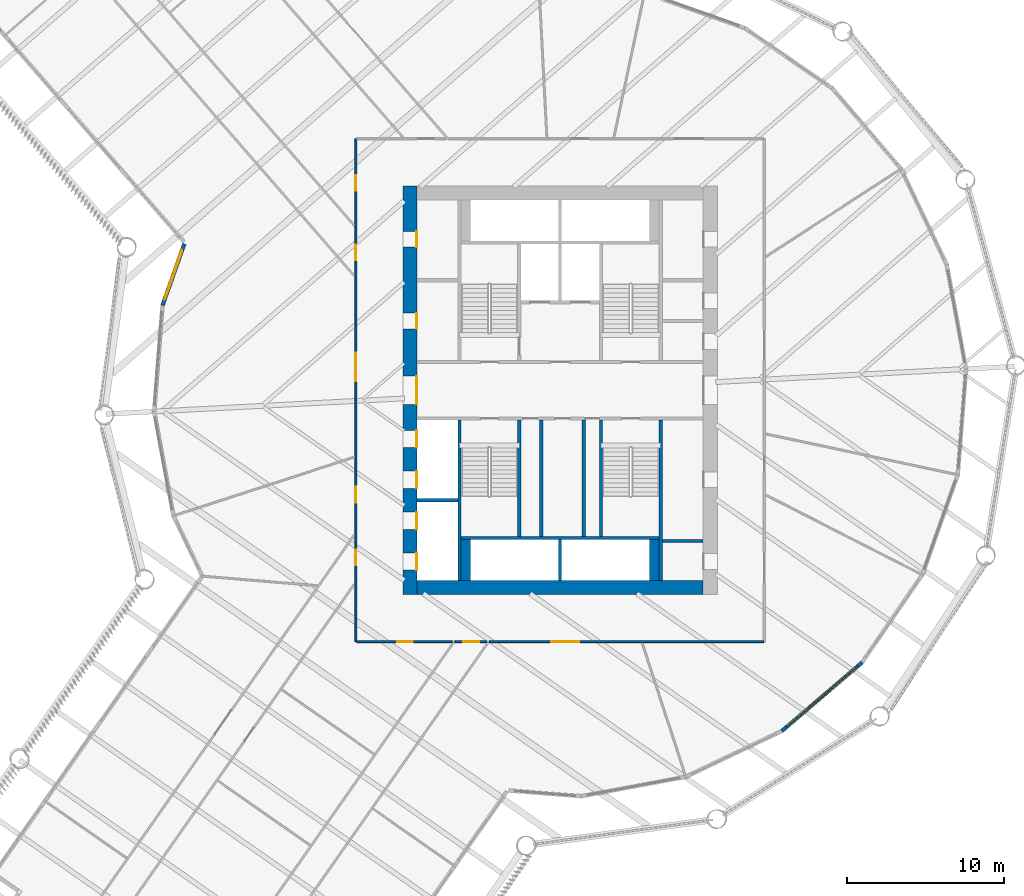
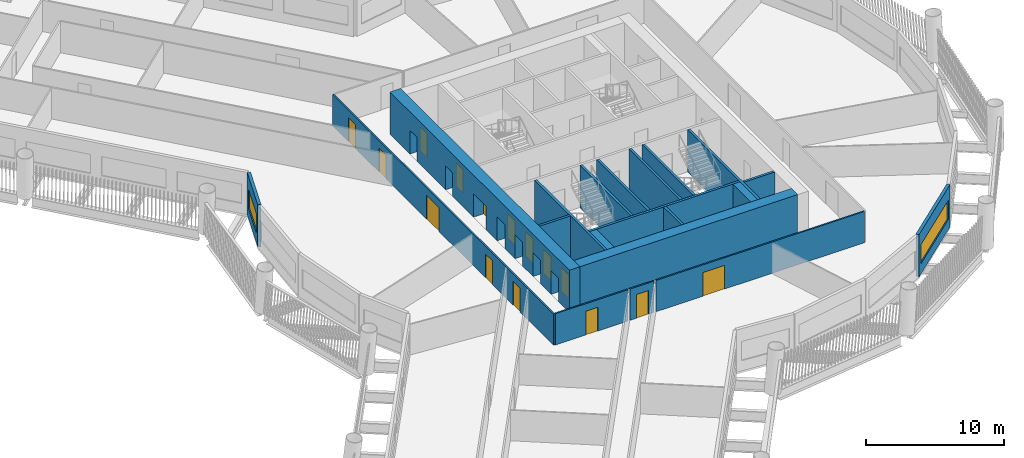
# One storey, part 4 of 15: 20 walls, 15 doors, 2 windows, 17 openings.
"""IFC4 building model written with IfcOpenShell, lengths in metres."""

from ifc_helpers import new_model, si_unit, direction, frame, frame_2d, origin, place, context, subcontext, project, spatial, rectangle, extrude, material, layer, layer_set, type_object, element, fill, save


model = new_model("IFC4")

# Units and contexts
model_context = context("Model", 3, precision=1e-05, world=origin(), true_north=direction((0.0, 1.0)))
body_context = subcontext(model_context, "Body", "Model", "MODEL_VIEW")
ifc_project = project(units=[si_unit("LENGTHUNIT", "METRE"), si_unit("AREAUNIT", "SQUARE_METRE"), si_unit("VOLUMEUNIT", "CUBIC_METRE"), si_unit("PLANEANGLEUNIT", "RADIAN"), si_unit("MASSUNIT", "GRAM", prefix="KILO")], contexts=[model_context])

# Site, building, storey
site_placement = place(None, origin())
site = spatial("IfcSite", under=ifc_project, at=site_placement, CompositionType="ELEMENT")
building_placement = place(site_placement, origin())
building = spatial("IfcBuilding", under=site, at=building_placement, Name="Tarsis Ring Headquarters", CompositionType="ELEMENT")
storey_placement = place(building_placement, frame((0.0, 0.0, 51.699951171875)))
storey = spatial("IfcBuildingStorey", under=building, at=storey_placement, Name="L10", CompositionType="ELEMENT", Elevation=51.699951171875)

# Walls
ifc_material_1 = material(Name="Blockwork", Category="masonry")
ifc_layer_1 = layer(ifc_material_1, 0.199951171875)
ifc_layer_set_1 = layer_set([ifc_layer_1], Name="Core blockwork wall 200")
wall_type_1 = type_object("IfcWallType", Name="Core blockwork wall 200", PredefinedType="PARTITIONING", material=ifc_layer_set_1)
wall_1_placement = place(storey_placement, frame((6.5, -9.60009765625, 0.0), z_axis=(0.0, 0.0, 1.0), x_axis=(1.0, 0.0, 0.0)))
element("IfcWall", 1, at=wall_1_placement, inside=storey, type_object=wall_type_1, Name="Core partition ED1", PredefinedType="PARTITIONING", context=body_context, shape_type="SweptSolid", body=[
    extrude(rectangle(XDim=2.60009765625, YDim=0.199951171875, at=frame_2d((1.300048828125, 0.0))), origin(), (0.0, 0.0, 1.0), 3.739990234375),
])
for number, where, z_axis, x_axis, name in (
    (2, (-1.199951171875, -9.300048828125, 0.0), (0.0, 0.0, 1.0), (0.0, 1.0, 0.0), "Core partition SV1"),
    (3, (1.5, -9.300048828125, 0.0), (0.0, 0.0, 1.0), (0.0, 1.0, 0.0), "Core partition SV2"),
):
    element("IfcWall", number, at=place(storey_placement, frame(where, z_axis=z_axis, x_axis=x_axis)), inside=storey, type_object=wall_type_1, Name=name, PredefinedType="PARTITIONING", context=body_context, shape_type="SweptSolid", body=[
        extrude(rectangle(XDim=7.400146484375, YDim=0.199951171875, at=frame_2d((3.7001953125, 0.0))), origin(), (0.0, 0.0, 1.0), 3.739990234375),
    ])

# Wall, openings, doors
ifc_material_2 = material(Name="Concrete C60/75", Category="concrete")
ifc_layer_2 = layer(ifc_material_2, 0.89990234375)
ifc_layer_set_2 = layer_set([ifc_layer_2], Name="Core wall 900 C60/75")
wall_type_2 = type_object("IfcWallType", Name="Core wall 900 C60/75", PredefinedType="SHEAR", material=ifc_layer_set_2)
wall_2_placement = place(storey_placement, frame((-9.550048828125, -13.0, 0.0), z_axis=(0.0, 0.0, 1.0), x_axis=(0.0, 1.0, 0.0)))
wall_2 = element("IfcWall", 4, at=wall_2_placement, inside=storey, type_object=wall_type_2, Name="Core wall OW", PredefinedType="SHEAR", context=body_context, shape_type="SweptSolid", body=[
    extrude(rectangle(XDim=26.0, YDim=0.89990234375, at=frame_2d((13.0, 0.0))), origin(), (0.0, 0.0, 1.0), 3.739990234375),
])
opening_1_placement = place(wall_2_placement, frame((1.550048828125, 0.0, 0.0)))
opening_1 = element("IfcOpeningElement", 5, at=opening_1_placement, cuts=wall_2, Name="Opening LD-LR1", PredefinedType="OPENING", context=body_context, shape_type="SweptSolid", body=[
    extrude(rectangle(XDim=1.10009765625, YDim=2.10009765625, at=frame_2d((0.550048828125, 1.050048828125))), frame((0.0, 0.4599609375, 0.0), z_axis=(0.0, -1.0, 0.0), x_axis=(1.0, 0.0, 0.0)), (0.0, 0.0, 1.0), 0.919921875),
])
opening_2_placement = place(wall_2_placement, frame((4.14990234375, 0.0, 0.0)))
opening_2 = element("IfcOpeningElement", 6, at=opening_2_placement, cuts=wall_2, Name="Opening LD-LR2", PredefinedType="OPENING", context=body_context, shape_type="SweptSolid", body=[
    extrude(rectangle(XDim=1.10009765625, YDim=2.10009765625, at=frame_2d((0.550048828125, 1.050048828125))), frame((0.0, 0.4599609375, 0.0), z_axis=(0.0, -1.0, 0.0), x_axis=(1.0, 0.0, 0.0)), (0.0, 0.0, 1.0), 0.919921875),
])
opening_3_placement = place(wall_2_placement, frame((6.75, 0.0, 0.0)))
opening_3 = element("IfcOpeningElement", 7, at=opening_3_placement, cuts=wall_2, Name="Opening LD-LR3", PredefinedType="OPENING", context=body_context, shape_type="SweptSolid", body=[
    extrude(rectangle(XDim=1.10009765625, YDim=2.10009765625, at=frame_2d((0.550048828125, 1.050048828125))), frame((0.0, 0.4599609375, 0.0), z_axis=(0.0, -1.0, 0.0), x_axis=(1.0, 0.0, 0.0)), (0.0, 0.0, 1.0), 0.919921875),
])
opening_4_placement = place(wall_2_placement, frame((9.35009765625, 0.0, 0.0)))
opening_4 = element("IfcOpeningElement", 8, at=opening_4_placement, cuts=wall_2, Name="Opening LD-LR4", PredefinedType="OPENING", context=body_context, shape_type="SweptSolid", body=[
    extrude(rectangle(XDim=1.10009765625, YDim=2.10009765625, at=frame_2d((0.550048828125, 1.050048828125))), frame((0.0, 0.4599609375, 0.0), z_axis=(0.0, -1.0, 0.0), x_axis=(1.0, 0.0, 0.0)), (0.0, 0.0, 1.0), 0.919921875),
])
opening_5_placement = place(wall_2_placement, frame((12.10009765625, 0.0, 0.0)))
opening_5 = element("IfcOpeningElement", 9, at=opening_5_placement, cuts=wall_2, Name="Opening L10-C05", PredefinedType="OPENING", context=body_context, shape_type="SweptSolid", body=[
    extrude(rectangle(XDim=1.800048828125, YDim=2.10009765625, at=frame_2d((0.89990234375, 1.050048828125))), frame((0.0, 0.4599609375, 0.0), z_axis=(0.0, -1.0, 0.0), x_axis=(1.0, 0.0, 0.0)), (0.0, 0.0, 1.0), 0.919921875),
])
opening_6_placement = place(wall_2_placement, frame((16.89990234375, 0.0, 0.0)))
opening_6 = element("IfcOpeningElement", 10, at=opening_6_placement, cuts=wall_2, Name="Opening L10-C06", PredefinedType="OPENING", context=body_context, shape_type="SweptSolid", body=[
    extrude(rectangle(XDim=1.0, YDim=2.10009765625, at=frame_2d((0.5, 1.050048828125))), frame((0.0, 0.4599609375, 0.0), z_axis=(0.0, -1.0, 0.0), x_axis=(1.0, 0.0, 0.0)), (0.0, 0.0, 1.0), 0.919921875),
])
opening_7_placement = place(wall_2_placement, frame((22.10009765625, 0.0, 0.0)))
opening_7 = element("IfcOpeningElement", 11, at=opening_7_placement, cuts=wall_2, Name="Opening L10-C07", PredefinedType="OPENING", context=body_context, shape_type="SweptSolid", body=[
    extrude(rectangle(XDim=1.0, YDim=2.10009765625, at=frame_2d((0.5, 1.050048828125))), frame((0.0, 0.4599609375, 0.0), z_axis=(0.0, -1.0, 0.0), x_axis=(1.0, 0.0, 0.0)), (0.0, 0.0, 1.0), 0.919921875),
])
ifc_material_3 = material(Name="Steel S355", Category="steel")
door_type_1 = type_object("IfcDoorType", Name="Core entry door 1800x2100", OperationType="DOUBLE_DOOR_SINGLE_SWING", PredefinedType="DOOR", material=ifc_material_3)
door_1_placement = place(opening_5_placement, origin())
door_1 = element("IfcDoor", 12, at=door_1_placement, inside=storey, type_object=door_type_1, Name="Core entry door L10", OperationType="DOUBLE_DOOR_SINGLE_SWING", OverallHeight=2.10009765625, OverallWidth=1.800048828125, PredefinedType="DOOR", context=body_context, shape_type="SweptSolid", body=[
    extrude(rectangle(XDim=1.800048828125, YDim=2.10009765625, at=frame_2d((0.89990234375, 1.050048828125))), frame((0.0, -0.39990234375, 0.0), z_axis=(0.0, -1.0, 0.0), x_axis=(1.0, 0.0, 0.0)), (0.0, 0.0, 1.0), 0.050048828125),
])
fill(opening_5, door_1)
door_type_2 = type_object("IfcDoorType", Name="Core room door 1000x2100", OperationType="SINGLE_SWING_LEFT", PredefinedType="DOOR", material=ifc_material_3)
door_2_placement = place(opening_6_placement, origin())
door_2 = element("IfcDoor", 13, at=door_2_placement, inside=storey, type_object=door_type_2, Name="Core room door L10", OperationType="SINGLE_SWING_LEFT", OverallHeight=2.10009765625, OverallWidth=1.0, PredefinedType="DOOR", context=body_context, shape_type="SweptSolid", body=[
    extrude(rectangle(XDim=1.0, YDim=2.10009765625, at=frame_2d((0.5, 1.050048828125))), frame((0.0, -0.39990234375, 0.0), z_axis=(0.0, -1.0, 0.0), x_axis=(1.0, 0.0, 0.0)), (0.0, 0.0, 1.0), 0.050048828125),
])
fill(opening_6, door_2)
door_3_placement = place(opening_7_placement, origin())
door_3 = element("IfcDoor", 14, at=door_3_placement, inside=storey, type_object=door_type_2, Name="Core room door L10", OperationType="SINGLE_SWING_LEFT", OverallHeight=2.10009765625, OverallWidth=1.0, PredefinedType="DOOR", context=body_context, shape_type="SweptSolid", body=[
    extrude(rectangle(XDim=1.0, YDim=2.10009765625, at=frame_2d((0.5, 1.050048828125))), frame((0.0, -0.39990234375, 0.0), z_axis=(0.0, -1.0, 0.0), x_axis=(1.0, 0.0, 0.0)), (0.0, 0.0, 1.0), 0.050048828125),
])
fill(opening_7, door_3)
door_type_3 = type_object("IfcDoorType", Name="Landing door 1100x2100", OperationType="SLIDING_TO_LEFT", PredefinedType="DOOR", material=ifc_material_3)
door_4_placement = place(opening_1_placement, origin())
door_4 = element("IfcDoor", 15, at=door_4_placement, inside=storey, type_object=door_type_3, Name="Landing door LR1 L10", OperationType="SLIDING_TO_LEFT", OverallHeight=2.10009765625, OverallWidth=1.10009765625, PredefinedType="DOOR", context=body_context, shape_type="SweptSolid", body=[
    extrude(rectangle(XDim=1.10009765625, YDim=2.10009765625, at=frame_2d((0.550048828125, 1.050048828125))), frame((0.0, -0.39990234375, 0.0), z_axis=(0.0, -1.0, 0.0), x_axis=(1.0, 0.0, 0.0)), (0.0, 0.0, 1.0), 0.050048828125),
])
fill(opening_1, door_4)
door_5_placement = place(opening_2_placement, origin())
door_5 = element("IfcDoor", 16, at=door_5_placement, inside=storey, type_object=door_type_3, Name="Landing door LR2 L10", OperationType="SLIDING_TO_LEFT", OverallHeight=2.10009765625, OverallWidth=1.10009765625, PredefinedType="DOOR", context=body_context, shape_type="SweptSolid", body=[
    extrude(rectangle(XDim=1.10009765625, YDim=2.10009765625, at=frame_2d((0.550048828125, 1.050048828125))), frame((0.0, -0.39990234375, 0.0), z_axis=(0.0, -1.0, 0.0), x_axis=(1.0, 0.0, 0.0)), (0.0, 0.0, 1.0), 0.050048828125),
])
fill(opening_2, door_5)
door_6_placement = place(opening_3_placement, origin())
door_6 = element("IfcDoor", 17, at=door_6_placement, inside=storey, type_object=door_type_3, Name="Landing door LR3 L10", OperationType="SLIDING_TO_LEFT", OverallHeight=2.10009765625, OverallWidth=1.10009765625, PredefinedType="DOOR", context=body_context, shape_type="SweptSolid", body=[
    extrude(rectangle(XDim=1.10009765625, YDim=2.10009765625, at=frame_2d((0.550048828125, 1.050048828125))), frame((0.0, -0.39990234375, 0.0), z_axis=(0.0, -1.0, 0.0), x_axis=(1.0, 0.0, 0.0)), (0.0, 0.0, 1.0), 0.050048828125),
])
fill(opening_3, door_6)
door_7_placement = place(opening_4_placement, origin())
door_7 = element("IfcDoor", 18, at=door_7_placement, inside=storey, type_object=door_type_3, Name="Landing door LR4 L10", OperationType="SLIDING_TO_LEFT", OverallHeight=2.10009765625, OverallWidth=1.10009765625, PredefinedType="DOOR", context=body_context, shape_type="SweptSolid", body=[
    extrude(rectangle(XDim=1.10009765625, YDim=2.10009765625, at=frame_2d((0.550048828125, 1.050048828125))), frame((0.0, -0.39990234375, 0.0), z_axis=(0.0, -1.0, 0.0), x_axis=(1.0, 0.0, 0.0)), (0.0, 0.0, 1.0), 0.050048828125),
])
fill(opening_4, door_7)

# Wall
wall_3_placement = place(storey_placement, frame((-9.10009765625, -12.550048828125, 0.0), z_axis=(0.0, 0.0, 1.0), x_axis=(1.0, 0.0, 0.0)))
element("IfcWall", 19, at=wall_3_placement, inside=storey, type_object=wall_type_2, Name="Core wall OS", PredefinedType="SHEAR", context=body_context, shape_type="SweptSolid", body=[
    extrude(rectangle(XDim=18.2001953125, YDim=0.89990234375, at=frame_2d((9.10009765625, 0.0))), origin(), (0.0, 0.0, 1.0), 3.739990234375),
])

# Wall, openings, doors
ifc_material_4 = material(Name="Gypsum board on steel studs", Category="steel")
ifc_layer_3 = layer(ifc_material_4, 0.125)
ifc_layer_set_3 = layer_set([ifc_layer_3], Name="FL partition 125 EI 60 H2770")
wall_type_3 = type_object("IfcWallType", Name="FL partition 125 EI 60 H2770", PredefinedType="PARTITIONING", material=ifc_layer_set_3)
wall_4_placement = place(storey_placement, frame((-13.0, -16.0, 0.0), z_axis=(0.0, 0.0, 1.0), x_axis=(0.0, 1.0, 0.0)))
wall_4 = element("IfcWall", 20, at=wall_4_placement, inside=storey, type_object=wall_type_3, Name="Partition PW1", PredefinedType="PARTITIONING", context=body_context, shape_type="SweptSolid", body=[
    extrude(rectangle(XDim=31.9990234375, YDim=0.125, at=frame_2d((15.99951171875, 0.0))), origin(), (0.0, 0.0, 1.0), 2.77001953125),
])
opening_8_placement = place(wall_4_placement, frame((8.85595703125, 0.0, 0.0)))
opening_8 = element("IfcOpeningElement", 21, at=opening_8_placement, cuts=wall_4, Name="Opening D10.13", PredefinedType="OPENING", context=body_context, shape_type="SweptSolid", body=[
    extrude(rectangle(XDim=1.0, YDim=2.10009765625, at=frame_2d((0.5, 1.050048828125))), frame((0.0, 0.072509765625, 0.0), z_axis=(0.0, -1.0, 0.0), x_axis=(1.0, 0.0, 0.0)), (0.0, 0.0, 1.0), 0.14501953125),
])
opening_9_placement = place(wall_4_placement, frame((16.57080078125, 0.0, 0.0)))
opening_9 = element("IfcOpeningElement", 22, at=opening_9_placement, cuts=wall_4, Name="Opening D10.14", PredefinedType="OPENING", context=body_context, shape_type="SweptSolid", body=[
    extrude(rectangle(XDim=1.800048828125, YDim=2.10009765625, at=frame_2d((0.89990234375, 1.050048828125))), frame((0.0, 0.072509765625, 0.0), z_axis=(0.0, -1.0, 0.0), x_axis=(1.0, 0.0, 0.0)), (0.0, 0.0, 1.0), 0.14501953125),
])
opening_10_placement = place(wall_4_placement, frame((28.682861328125, 0.0, 0.0)))
opening_10 = element("IfcOpeningElement", 23, at=opening_10_placement, cuts=wall_4, Name="Opening D10.15", PredefinedType="OPENING", context=body_context, shape_type="SweptSolid", body=[
    extrude(rectangle(XDim=1.0, YDim=2.10009765625, at=frame_2d((0.5, 1.050048828125))), frame((0.0, 0.072509765625, 0.0), z_axis=(0.0, -1.0, 0.0), x_axis=(1.0, 0.0, 0.0)), (0.0, 0.0, 1.0), 0.14501953125),
])
opening_11_placement = place(wall_4_placement, frame((4.86669921875, 0.0, 0.0)))
opening_11 = element("IfcOpeningElement", 24, at=opening_11_placement, cuts=wall_4, Name="Opening D10.20", PredefinedType="OPENING", context=body_context, shape_type="SweptSolid", body=[
    extrude(rectangle(XDim=1.0, YDim=2.10009765625, at=frame_2d((0.5, 1.050048828125))), frame((0.0, 0.072509765625, 0.0), z_axis=(0.0, -1.0, 0.0), x_axis=(1.0, 0.0, 0.0)), (0.0, 0.0, 1.0), 0.14501953125),
])
opening_12_placement = place(wall_4_placement, frame((24.266357421875, 0.0, 0.0)))
opening_12 = element("IfcOpeningElement", 25, at=opening_12_placement, cuts=wall_4, Name="Opening D10.22", PredefinedType="OPENING", context=body_context, shape_type="SweptSolid", body=[
    extrude(rectangle(XDim=1.0, YDim=2.10009765625, at=frame_2d((0.5, 1.050048828125))), frame((0.0, 0.072509765625, 0.0), z_axis=(0.0, -1.0, 0.0), x_axis=(1.0, 0.0, 0.0)), (0.0, 0.0, 1.0), 0.14501953125),
])
ifc_material_5 = material(Name="Fire-rated timber door leaf in steel frame", Category="steel")
door_type_4 = type_object("IfcDoorType", Name="FL door FD60-1000", OperationType="NOTDEFINED", PredefinedType="DOOR", material=ifc_material_5)
door_8_placement = place(opening_8_placement, origin())
door_8 = element("IfcDoor", 26, at=door_8_placement, inside=storey, type_object=door_type_4, Name="Door D10.13", OperationType="SINGLE_SWING_LEFT", OverallHeight=2.10009765625, OverallWidth=1.0, PredefinedType="DOOR", context=body_context, shape_type="SweptSolid", body=[
    extrude(rectangle(XDim=1.0, YDim=2.10009765625, at=frame_2d((0.5, 1.050048828125))), frame((0.0, 0.02490234375, 0.0), z_axis=(0.0, -1.0, 0.0), x_axis=(1.0, 0.0, 0.0)), (0.0, 0.0, 1.0), 0.050048828125),
])
fill(opening_8, door_8)
door_9_placement = place(opening_10_placement, origin())
door_9 = element("IfcDoor", 27, at=door_9_placement, inside=storey, type_object=door_type_4, Name="Door D10.15", OperationType="SINGLE_SWING_LEFT", OverallHeight=2.10009765625, OverallWidth=1.0, PredefinedType="DOOR", context=body_context, shape_type="SweptSolid", body=[
    extrude(rectangle(XDim=1.0, YDim=2.10009765625, at=frame_2d((0.5, 1.050048828125))), frame((0.0, 0.02490234375, 0.0), z_axis=(0.0, -1.0, 0.0), x_axis=(1.0, 0.0, 0.0)), (0.0, 0.0, 1.0), 0.050048828125),
])
fill(opening_10, door_9)
door_10_placement = place(opening_11_placement, origin())
door_10 = element("IfcDoor", 28, at=door_10_placement, inside=storey, type_object=door_type_4, Name="Door D10.20", OperationType="SINGLE_SWING_RIGHT", OverallHeight=2.10009765625, OverallWidth=1.0, PredefinedType="DOOR", context=body_context, shape_type="SweptSolid", body=[
    extrude(rectangle(XDim=1.0, YDim=2.10009765625, at=frame_2d((0.5, 1.050048828125))), frame((0.0, 0.02490234375, 0.0), z_axis=(0.0, -1.0, 0.0), x_axis=(1.0, 0.0, 0.0)), (0.0, 0.0, 1.0), 0.050048828125),
])
fill(opening_11, door_10)
door_11_placement = place(opening_12_placement, origin())
door_11 = element("IfcDoor", 29, at=door_11_placement, inside=storey, type_object=door_type_4, Name="Door D10.22", OperationType="SINGLE_SWING_RIGHT", OverallHeight=2.10009765625, OverallWidth=1.0, PredefinedType="DOOR", context=body_context, shape_type="SweptSolid", body=[
    extrude(rectangle(XDim=1.0, YDim=2.10009765625, at=frame_2d((0.5, 1.050048828125))), frame((0.0, 0.02490234375, 0.0), z_axis=(0.0, -1.0, 0.0), x_axis=(1.0, 0.0, 0.0)), (0.0, 0.0, 1.0), 0.050048828125),
])
fill(opening_12, door_11)
door_type_5 = type_object("IfcDoorType", Name="FL door FD60-1800", OperationType="DOUBLE_DOOR_SINGLE_SWING", PredefinedType="DOOR", material=ifc_material_5)
door_12_placement = place(opening_9_placement, origin())
door_12 = element("IfcDoor", 30, at=door_12_placement, inside=storey, type_object=door_type_5, Name="Door D10.14", OperationType="DOUBLE_DOOR_SINGLE_SWING", OverallHeight=2.10009765625, OverallWidth=1.800048828125, PredefinedType="DOOR", context=body_context, shape_type="SweptSolid", body=[
    extrude(rectangle(XDim=1.800048828125, YDim=2.10009765625, at=frame_2d((0.89990234375, 1.050048828125))), frame((0.0, 0.02490234375, 0.0), z_axis=(0.0, -1.0, 0.0), x_axis=(1.0, 0.0, 0.0)), (0.0, 0.0, 1.0), 0.050048828125),
])
fill(opening_9, door_12)

# Wall, opening, door
wall_5_placement = place(storey_placement, frame((-12.93994140625, -16.0, 0.0), z_axis=(0.0, 0.0, 1.0), x_axis=(1.0, 0.0, 0.0)))
wall_5 = element("IfcWall", 31, at=wall_5_placement, inside=storey, type_object=wall_type_3, Name="Partition PW1", PredefinedType="PARTITIONING", context=body_context, shape_type="SweptSolid", body=[
    extrude(rectangle(XDim=6.072265625, YDim=0.125, at=frame_2d((3.0361328125, 0.0))), origin(), (0.0, 0.0, 1.0), 2.77001953125),
])
opening_13_placement = place(wall_5_placement, frame((2.56640625, 0.0, 0.0)))
opening_13 = element("IfcOpeningElement", 32, at=opening_13_placement, cuts=wall_5, Name="Opening D10.17", PredefinedType="OPENING", context=body_context, shape_type="SweptSolid", body=[
    extrude(rectangle(XDim=1.0, YDim=2.10009765625, at=frame_2d((0.5, 1.050048828125))), frame((0.0, 0.072509765625, 0.0), z_axis=(0.0, -1.0, 0.0), x_axis=(1.0, 0.0, 0.0)), (0.0, 0.0, 1.0), 0.14501953125),
])
door_13_placement = place(opening_13_placement, origin())
door_13 = element("IfcDoor", 33, at=door_13_placement, inside=storey, type_object=door_type_4, Name="Door D10.17", OperationType="SINGLE_SWING_LEFT", OverallHeight=2.10009765625, OverallWidth=1.0, PredefinedType="DOOR", context=body_context, shape_type="SweptSolid", body=[
    extrude(rectangle(XDim=1.0, YDim=2.10009765625, at=frame_2d((0.5, 1.050048828125))), frame((0.0, 0.02490234375, 0.0), z_axis=(0.0, -1.0, 0.0), x_axis=(1.0, 0.0, 0.0)), (0.0, 0.0, 1.0), 0.050048828125),
])
fill(opening_13, door_13)

wall_6_placement = place(storey_placement, frame((-6.6962890625, -16.0, 0.0), z_axis=(0.0, 0.0, 1.0), x_axis=(1.0, 0.0, 0.0)))
wall_6 = element("IfcWall", 34, at=wall_6_placement, inside=storey, type_object=wall_type_3, Name="Partition PW1", PredefinedType="PARTITIONING", context=body_context, shape_type="SweptSolid", body=[
    extrude(rectangle(XDim=2.026123046875, YDim=0.125, at=frame_2d((1.01318359375, 0.0))), origin(), (0.0, 0.0, 1.0), 2.77001953125),
])
opening_14_placement = place(wall_6_placement, frame((0.547607421875, 0.0, 0.0)))
opening_14 = element("IfcOpeningElement", 35, at=opening_14_placement, cuts=wall_6, Name="Opening D10.21", PredefinedType="OPENING", context=body_context, shape_type="SweptSolid", body=[
    extrude(rectangle(XDim=1.0, YDim=2.10009765625, at=frame_2d((0.5, 1.050048828125))), frame((0.0, 0.072509765625, 0.0), z_axis=(0.0, -1.0, 0.0), x_axis=(1.0, 0.0, 0.0)), (0.0, 0.0, 1.0), 0.14501953125),
])
door_14_placement = place(opening_14_placement, origin())
door_14 = element("IfcDoor", 36, at=door_14_placement, inside=storey, type_object=door_type_4, Name="Door D10.21", OperationType="SINGLE_SWING_LEFT", OverallHeight=2.10009765625, OverallWidth=1.0, PredefinedType="DOOR", context=body_context, shape_type="SweptSolid", body=[
    extrude(rectangle(XDim=1.0, YDim=2.10009765625, at=frame_2d((0.5, 1.050048828125))), frame((0.0, 0.02490234375, 0.0), z_axis=(0.0, -1.0, 0.0), x_axis=(1.0, 0.0, 0.0)), (0.0, 0.0, 1.0), 0.050048828125),
])
fill(opening_14, door_14)

wall_7_placement = place(storey_placement, frame((-4.498779296875, -16.0, 0.0), z_axis=(0.0, 0.0, 1.0), x_axis=(1.0, 0.0, 0.0)))
wall_7 = element("IfcWall", 37, at=wall_7_placement, inside=storey, type_object=wall_type_3, Name="Partition PW1", PredefinedType="PARTITIONING", context=body_context, shape_type="SweptSolid", body=[
    extrude(rectangle(XDim=17.438720703125, YDim=0.125, at=frame_2d((8.71923828125, 0.0))), origin(), (0.0, 0.0, 1.0), 2.77001953125),
])
opening_15_placement = place(wall_7_placement, frame((3.923095703125, 0.0, 0.0)))
opening_15 = element("IfcOpeningElement", 38, at=opening_15_placement, cuts=wall_7, Name="Opening D10.09", PredefinedType="OPENING", context=body_context, shape_type="SweptSolid", body=[
    extrude(rectangle(XDim=1.800048828125, YDim=2.10009765625, at=frame_2d((0.89990234375, 1.050048828125))), frame((0.0, 0.072509765625, 0.0), z_axis=(0.0, -1.0, 0.0), x_axis=(1.0, 0.0, 0.0)), (0.0, 0.0, 1.0), 0.14501953125),
])
door_15_placement = place(opening_15_placement, origin())
door_15 = element("IfcDoor", 39, at=door_15_placement, inside=storey, type_object=door_type_5, Name="Door D10.09", OperationType="DOUBLE_DOOR_SINGLE_SWING", OverallHeight=2.10009765625, OverallWidth=1.800048828125, PredefinedType="DOOR", context=body_context, shape_type="SweptSolid", body=[
    extrude(rectangle(XDim=1.800048828125, YDim=2.10009765625, at=frame_2d((0.89990234375, 1.050048828125))), frame((0.0, 0.02490234375, 0.0), z_axis=(0.0, -1.0, 0.0), x_axis=(1.0, 0.0, 0.0)), (0.0, 0.0, 1.0), 0.050048828125),
])
fill(opening_15, door_15)

# Wall, opening, window
ifc_material_6 = material(Name="Terracotta clad insulated panel wall", Category="masonry")
ifc_layer_4 = layer(ifc_material_6, 0.25)
ifc_layer_set_4 = layer_set([ifc_layer_4], Name="Facade wall terracotta panel 250")
wall_type_4 = type_object("IfcWallType", Name="Facade wall terracotta panel 250", PredefinedType="STANDARD", material=ifc_layer_set_4)
wall_8_placement = place(storey_placement, frame((-23.915283203125, 9.31396484375, 0.0), z_axis=(0.0, 0.0, 1.0), x_axis=(-0.33379061384, -0.94264724373, 0.0)))
wall_8 = element("IfcWall", 40, at=wall_8_placement, inside=storey, type_object=wall_type_4, Name="External wall L10-02", PredefinedType="STANDARD", context=body_context, shape_type="SweptSolid", body=[
    extrude(rectangle(XDim=4.157470703125, YDim=0.25, at=frame_2d((2.07861328125, 0.0))), origin(), (0.0, 0.0, 1.0), 3.739990234375),
])
opening_16_placement = place(wall_8_placement, frame((0.420166015625, 0.0, 0.89990234375)))
opening_16 = element("IfcOpeningElement", 41, at=opening_16_placement, cuts=wall_8, Name="Opening WN01", PredefinedType="OPENING", context=body_context, shape_type="SweptSolid", body=[
    extrude(rectangle(XDim=3.35009765625, YDim=1.699951171875, at=frame_2d((1.675048828125, 0.85009765625))), frame((0.0, 0.135009765625, 0.0), z_axis=(0.0, -1.0, 0.0), x_axis=(1.0, 0.0, 0.0)), (0.0, 0.0, 1.0), 0.27001953125),
])
ifc_material_7 = material(Name="Aluminium framed double glazing", Category="aluminium")
window_type_1 = type_object("IfcWindowType", Name="Facade window 3350 x 1700", PartitioningType="SINGLE_PANEL", PredefinedType="WINDOW", material=ifc_material_7)
window_1_placement = place(opening_16_placement, origin())
window_1 = element("IfcWindow", 42, at=window_1_placement, inside=storey, type_object=window_type_1, Name="Window L10-02.1", OverallHeight=1.699951171875, OverallWidth=3.35009765625, PartitioningType="SINGLE_PANEL", PredefinedType="WINDOW", context=body_context, shape_type="SweptSolid", body=[
    extrude(rectangle(XDim=3.35009765625, YDim=1.699951171875, at=frame_2d((1.675048828125, 0.85009765625))), frame((0.0, 0.030029296875, 0.0), z_axis=(0.0, -1.0, 0.0), x_axis=(1.0, 0.0, 0.0)), (0.0, 0.0, 1.0), 0.06005859375),
])
fill(opening_16, window_1)

wall_9_placement = place(storey_placement, frame((14.1044921875, -21.68896484375, 0.0), z_axis=(0.0, 0.0, 1.0), x_axis=(0.760409179115, 0.649444285769, 0.0)))
wall_9 = element("IfcWall", 43, at=wall_9_placement, inside=storey, type_object=wall_type_4, Name="External wall L10-20", PredefinedType="STANDARD", context=body_context, shape_type="SweptSolid", body=[
    extrude(rectangle(XDim=6.721435546875, YDim=0.25, at=frame_2d((3.36083984375, 0.0))), origin(), (0.0, 0.0, 1.0), 3.739990234375),
])
opening_17_placement = place(wall_9_placement, frame((0.3857421875, 0.0, 0.89990234375)))
opening_17 = element("IfcOpeningElement", 44, at=opening_17_placement, cuts=wall_9, Name="Opening WN07", PredefinedType="OPENING", context=body_context, shape_type="SweptSolid", body=[
    extrude(rectangle(XDim=5.949951171875, YDim=1.699951171875, at=frame_2d((2.97509765625, 0.85009765625))), frame((0.0, 0.135009765625, 0.0), z_axis=(0.0, -1.0, 0.0), x_axis=(1.0, 0.0, 0.0)), (0.0, 0.0, 1.0), 0.27001953125),
])
window_type_2 = type_object("IfcWindowType", Name="Facade window 5950 x 1700", PartitioningType="SINGLE_PANEL", PredefinedType="WINDOW", material=ifc_material_7)
window_2_placement = place(opening_17_placement, origin())
window_2 = element("IfcWindow", 45, at=window_2_placement, inside=storey, type_object=window_type_2, Name="Window L10-20.1", OverallHeight=1.699951171875, OverallWidth=5.949951171875, PartitioningType="SINGLE_PANEL", PredefinedType="WINDOW", context=body_context, shape_type="SweptSolid", body=[
    extrude(rectangle(XDim=5.949951171875, YDim=1.699951171875, at=frame_2d((2.97509765625, 0.85009765625))), frame((0.0, 0.030029296875, 0.0), z_axis=(0.0, -1.0, 0.0), x_axis=(1.0, 0.0, 0.0)), (0.0, 0.0, 1.0), 0.06005859375),
])
fill(opening_17, window_2)

# Walls
ifc_material_8 = material(Name="Concrete C32/40", Category="concrete")
ifc_layer_5 = layer(ifc_material_8, 0.60009765625)
ifc_layer_set_5 = layer_set([ifc_layer_5], Name="Shaft end wall 600 C32/40")
wall_type_5 = type_object("IfcWallType", Name="Shaft end wall 600 C32/40", PredefinedType="SOLIDWALL", material=ifc_layer_set_5)
for number, where, z_axis, x_axis, name in (
    (46, (-6.0, -12.10009765625, 0.0), (0.0, 0.0, 1.0), (0.0, 1.0, 0.0), "Core shaft wall SNE1"),
    (47, (6.0, -12.10009765625, 0.0), (0.0, 0.0, 1.0), (0.0, 1.0, 0.0), "Core shaft wall SNE2"),
):
    element("IfcWall", number, at=place(storey_placement, frame(where, z_axis=z_axis, x_axis=x_axis)), inside=storey, type_object=wall_type_5, Name=name, PredefinedType="SOLIDWALL", context=body_context, shape_type="SweptSolid", body=[
        extrude(rectangle(XDim=2.60009765625, YDim=0.60009765625, at=frame_2d((1.300048828125, 0.0))), origin(), (0.0, 0.0, 1.0), 3.739990234375),
    ])
ifc_layer_6 = layer(ifc_material_8, 0.199951171875)
ifc_layer_set_6 = layer_set([ifc_layer_6], Name="Shaft wall 200 C32/40")
wall_type_6 = type_object("IfcWallType", Name="Shaft wall 200 C32/40", PredefinedType="SOLIDWALL", material=ifc_layer_set_6)
for number, where, z_axis, x_axis, name in (
    (48, (-6.39990234375, -12.10009765625, 0.0), (0.0, 0.0, 1.0), (0.0, 1.0, 0.0), "Core shaft wall WB1"),
    (49, (6.39990234375, -12.10009765625, 0.0), (0.0, 0.0, 1.0), (0.0, 1.0, 0.0), "Core shaft wall EB1"),
):
    element("IfcWall", number, at=place(storey_placement, frame(where, z_axis=z_axis, x_axis=x_axis)), inside=storey, type_object=wall_type_6, Name=name, PredefinedType="SOLIDWALL", context=body_context, shape_type="SweptSolid", body=[
        extrude(rectangle(XDim=10.2001953125, YDim=0.199951171875, at=frame_2d((5.10009765625, 0.0))), origin(), (0.0, 0.0, 1.0), 3.739990234375),
    ])
wall_10_placement = place(storey_placement, frame((-6.300048828125, -9.39990234375, 0.0), z_axis=(0.0, 0.0, 1.0), x_axis=(1.0, 0.0, 0.0)))
element("IfcWall", 50, at=wall_10_placement, inside=storey, type_object=wall_type_6, Name="Core shaft wall SB", PredefinedType="SOLIDWALL", context=body_context, shape_type="SweptSolid", body=[
    extrude(rectangle(XDim=12.60009765625, YDim=0.199951171875, at=frame_2d((6.300048828125, 0.0))), origin(), (0.0, 0.0, 1.0), 3.739990234375),
])
for number, where, z_axis, x_axis, name in (
    (51, (-2.60009765625, -9.300048828125, 0.0), (0.0, 0.0, 1.0), (0.0, 1.0, 0.0), "Core shaft wall SW3"),
    (52, (2.60009765625, -9.300048828125, 0.0), (0.0, 0.0, 1.0), (0.0, 1.0, 0.0), "Core shaft wall SW4"),
):
    element("IfcWall", number, at=place(storey_placement, frame(where, z_axis=z_axis, x_axis=x_axis)), inside=storey, type_object=wall_type_6, Name=name, PredefinedType="SOLIDWALL", context=body_context, shape_type="SweptSolid", body=[
        extrude(rectangle(XDim=7.400146484375, YDim=0.199951171875, at=frame_2d((3.7001953125, 0.0))), origin(), (0.0, 0.0, 1.0), 3.739990234375),
    ])
for number, where, z_axis, x_axis, name in (
    (53, (-9.10009765625, -7.0, 0.0), (0.0, 0.0, 1.0), (1.0, 0.0, 0.0), "Core shaft wall WD2"),
    (54, (0.0, -12.10009765625, 0.0), (0.0, 0.0, 1.0), (0.0, 1.0, 0.0), "Core shaft wall SD2"),
):
    element("IfcWall", number, at=place(storey_placement, frame(where, z_axis=z_axis, x_axis=x_axis)), inside=storey, type_object=wall_type_6, Name=name, PredefinedType="SOLIDWALL", context=body_context, shape_type="SweptSolid", body=[
        extrude(rectangle(XDim=2.60009765625, YDim=0.199951171875, at=frame_2d((1.300048828125, 0.0))), origin(), (0.0, 0.0, 1.0), 3.739990234375),
    ])

save(model, "model.ifc")
